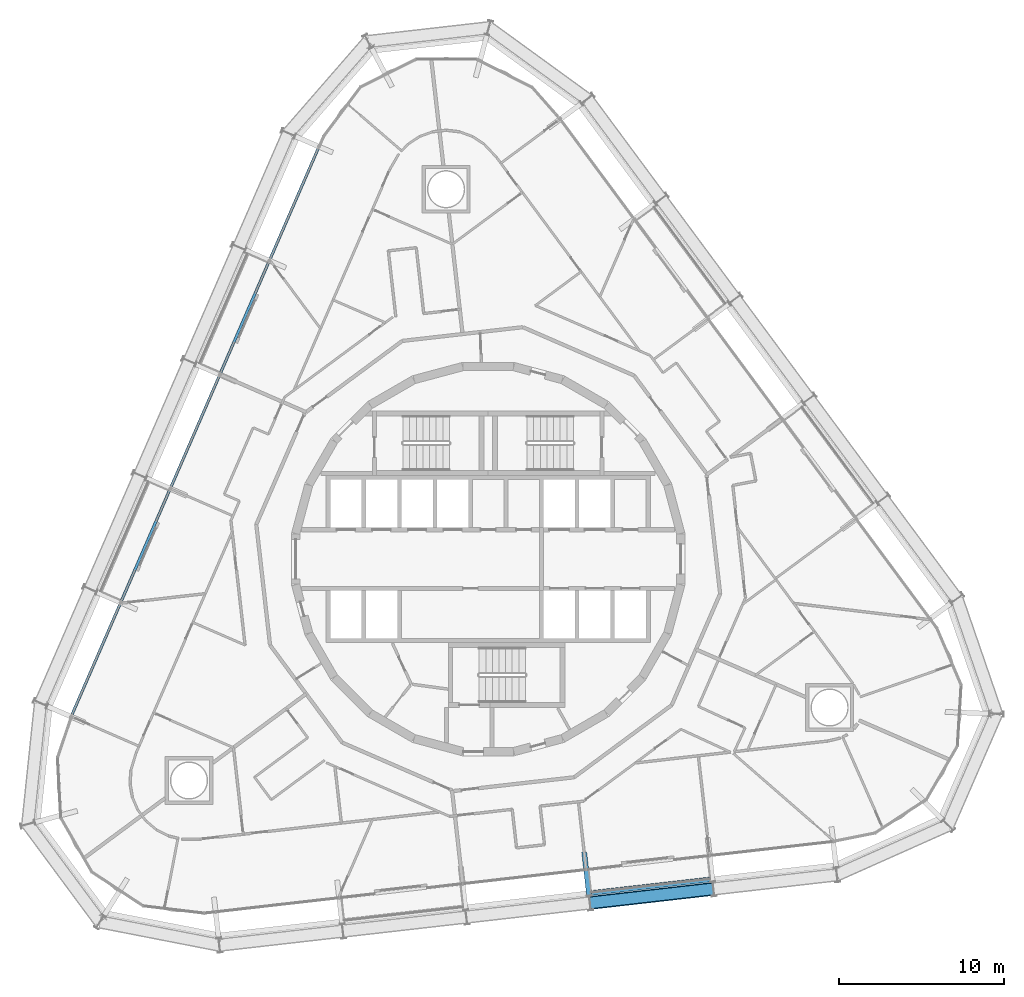
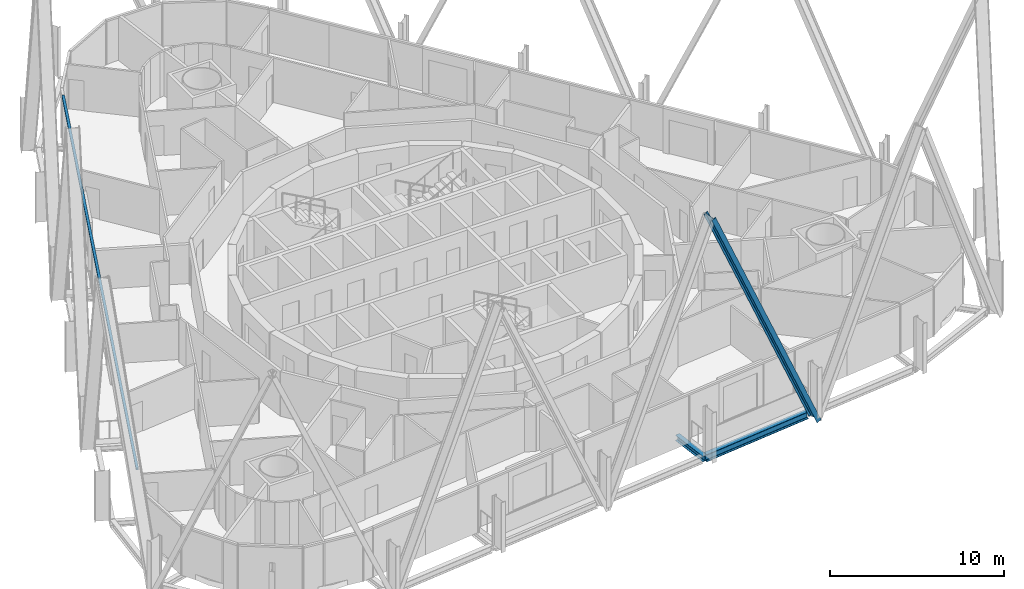
# One storey, part 6 of 23: 2 beams, 2 members, 1 element without a shape of its own.
"""IFC4 building model written with IfcOpenShell, lengths in metres."""

from ifc_helpers import new_model, si_unit, direction, frame, origin, origin_2d, place, context, subcontext, project, spatial, rectangle, i_section, extrude, material, layer, layer_set, material_profile, profile_set, type_object, element, aggregate, save


model = new_model("IFC4")

# Units and contexts
model_context = context("Model", 3, precision=1e-05, world=origin(), true_north=direction((0.0, 1.0)))
body_context = subcontext(model_context, "Body", "Model", "MODEL_VIEW")
ifc_project = project(units=[si_unit("LENGTHUNIT", "METRE"), si_unit("AREAUNIT", "SQUARE_METRE"), si_unit("VOLUMEUNIT", "CUBIC_METRE"), si_unit("PLANEANGLEUNIT", "RADIAN"), si_unit("MASSUNIT", "GRAM", prefix="KILO")], contexts=[model_context])

# Site, building, storey
site_placement = place(None, origin())
site = spatial("IfcSite", under=ifc_project, at=site_placement, CompositionType="ELEMENT")
building_placement = place(site_placement, origin())
building = spatial("IfcBuilding", under=site, at=building_placement, Name="Spindle Arch Residences", CompositionType="ELEMENT")
storey_placement = place(building_placement, frame((0.0, 0.0, 90.699951171875)))
storey = spatial("IfcBuildingStorey", under=building, at=storey_placement, Name="L21", CompositionType="ELEMENT", Elevation=90.699951171875)

# Curtain wall, member
ifc_material_1 = material(Name="Aluminium bronze unitised frame with tinted glass", Category="aluminium")
ifc_layer = layer(ifc_material_1, 0.159912109375)
ifc_layer_set = layer_set([ifc_layer], Name="CW-C typical residential unitised wall")
curtain_wall_type = type_object("IfcCurtainWallType", Name="CW-C typical residential unitised wall", PredefinedType="NOTDEFINED", material=ifc_layer_set)
curtain_wall_placement = place(storey_placement, origin())
curtain_wall = element("IfcCurtainWall", 1, at=curtain_wall_placement, inside=storey, type_object=curtain_wall_type, Name="CW-C L21 run 4", PredefinedType="NOTDEFINED")
ifc_material_2 = material(Name="Aluminium bronze anodised transom", Category="aluminium")
ifc_material_profile_1 = material_profile(ifc_material_2, rectangle(XDim=0.159912109375, YDim=0.1201171875, at=origin_2d()), Name="TR 120x160")
ifc_profile_set_1 = profile_set([ifc_material_profile_1], Name="Aluminium bronze anodised transom")
member_type_1 = type_object("IfcMemberType", Name="Bronze transom 120x160", PredefinedType="USERDEFINED", material=ifc_profile_set_1)
member_1_placement = place(storey_placement, frame((-10.250244140625, 24.92138671875, 3.06005859375), z_axis=(-0.398750371211, -0.917059508134, 0.0), x_axis=(0.917059508134, -0.398750371211, 0.0)))
member_1 = element("IfcMember", 2, at=member_1_placement, type_object=member_type_1, Name="CW-C transom 00", ObjectType="TRANSOM", PredefinedType="USERDEFINED", context=body_context, shape_type="SweptSolid", body=[
    extrude(rectangle(XDim=0.159912109375, YDim=0.1201171875, at=origin_2d()), origin(), (0.0, 0.0, 1.0), 37.5341796875),
])
aggregate(curtain_wall, [member_1])

# Member
ifc_material_3 = material(Name="Steel S460ML, intumescent coating R 240", Category="steel")
ifc_material_profile_2 = material_profile(ifc_material_3, i_section(OverallWidth=0.302978515625, OverallDepth=0.81396484375, WebThickness=0.02099609375, FlangeThickness=0.0400390625, FilletRadius=0.030029296875, at=origin_2d()), Name="HEM 800")
ifc_profile_set_2 = profile_set([ifc_material_profile_2], Name="Steel S460ML, intumescent coating R 240")
member_type_2 = type_object("IfcMemberType", Name="Diagrid diagonal HEM 800", PredefinedType="BRACE", material=ifc_profile_set_2)
member_2_placement = place(storey_placement, frame((13.62353515625, -19.943603515625, -0.6298828125), z_axis=(-0.396553992054, -0.04517752921, 0.916899079638), x_axis=(0.911006177079, 0.103786644443, 0.399119127279)))
element("IfcMember", 3, at=member_2_placement, inside=storey, type_object=member_type_2, Name="Diagrid diagonal 2.2.1", PredefinedType="BRACE", context=body_context, shape_type="SweptSolid", body=[
    extrude(i_section(OverallWidth=0.302978515625, OverallDepth=0.81396484375, WebThickness=0.02099609375, FlangeThickness=0.0400390625, FilletRadius=0.030029296875, at=origin_2d()), origin(), (0.0, 0.0, 1.0), 18.83837890625),
])

# Beams
ifc_material_4 = material(Name="Steel S460ML, intumescent coating R 120", Category="steel")
ifc_material_profile_3 = material_profile(ifc_material_4, i_section(OverallWidth=0.300048828125, OverallDepth=0.5, WebThickness=0.014404296875, FlangeThickness=0.028076171875, FilletRadius=0.027099609375, at=origin_2d()), Name="HEB 500")
ifc_profile_set_3 = profile_set([ifc_material_profile_3], Name="Steel S460ML, intumescent coating R 120")
beam_type_1 = type_object("IfcBeamType", Name="Exoskeleton edge beam HEB 500", PredefinedType="BEAM", material=ifc_profile_set_3)
beam_1_placement = place(storey_placement, frame((6.2158203125, -20.19677734375, -0.6298828125), z_axis=(0.993570992395, 0.11321079044, 0.0), x_axis=(-0.11321079044, 0.993570992395, 0.0)))
element("IfcBeam", 4, at=beam_1_placement, inside=storey, type_object=beam_type_1, Name="Exoskeleton edge beam 1", PredefinedType="BEAM", context=body_context, shape_type="SweptSolid", body=[
    extrude(i_section(OverallWidth=0.300048828125, OverallDepth=0.5, WebThickness=0.014404296875, FlangeThickness=0.028076171875, FilletRadius=0.027099609375, at=origin_2d()), origin(), (0.0, 0.0, 1.0), 7.2587890625),
])
ifc_material_5 = material(Name="Steel S460ML, intumescent coating R 120", Category="steel")
ifc_material_profile_4 = material_profile(ifc_material_5, i_section(OverallWidth=0.300048828125, OverallDepth=0.389892578125, WebThickness=0.010986328125, FlangeThickness=0.01904296875, FilletRadius=0.027099609375, at=origin_2d()), Name="HEA 400")
ifc_profile_set_4 = profile_set([ifc_material_profile_4], Name="Steel S460ML, intumescent coating R 120")
beam_type_2 = type_object("IfcBeamType", Name="Floor outrigger HEA 400", PredefinedType="BEAM", material=ifc_profile_set_4)
beam_2_placement = place(storey_placement, frame((6.10205078125, -20.34765625, -0.574951171875), z_axis=(-0.113221808681, 0.993569736878, 0.0), x_axis=(-0.993569736878, -0.113221808681, 0.0)))
element("IfcBeam", 5, at=beam_2_placement, inside=storey, type_object=beam_type_2, Name="Floor outrigger 1", PredefinedType="BEAM", context=body_context, shape_type="SweptSolid", body=[
    extrude(i_section(OverallWidth=0.300048828125, OverallDepth=0.389892578125, WebThickness=0.010986328125, FlangeThickness=0.01904296875, FilletRadius=0.027099609375, at=origin_2d()), origin(), (0.0, 0.0, 1.0), 2.650146484375),
])

save(model, "model.ifc")
